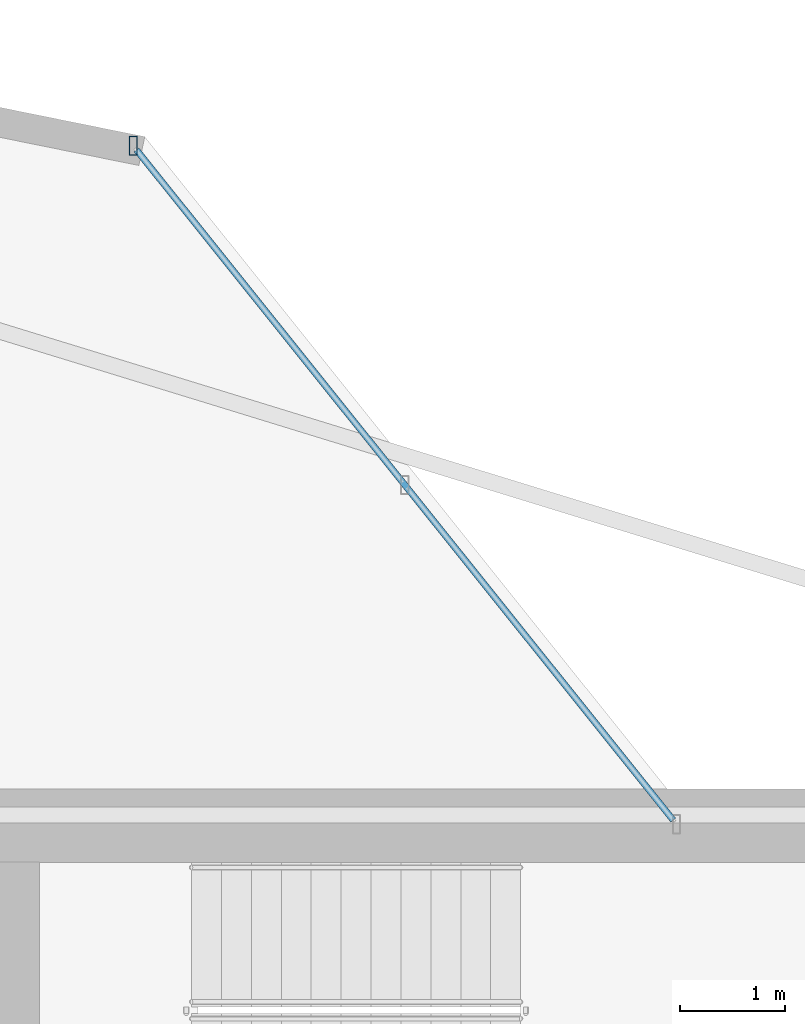
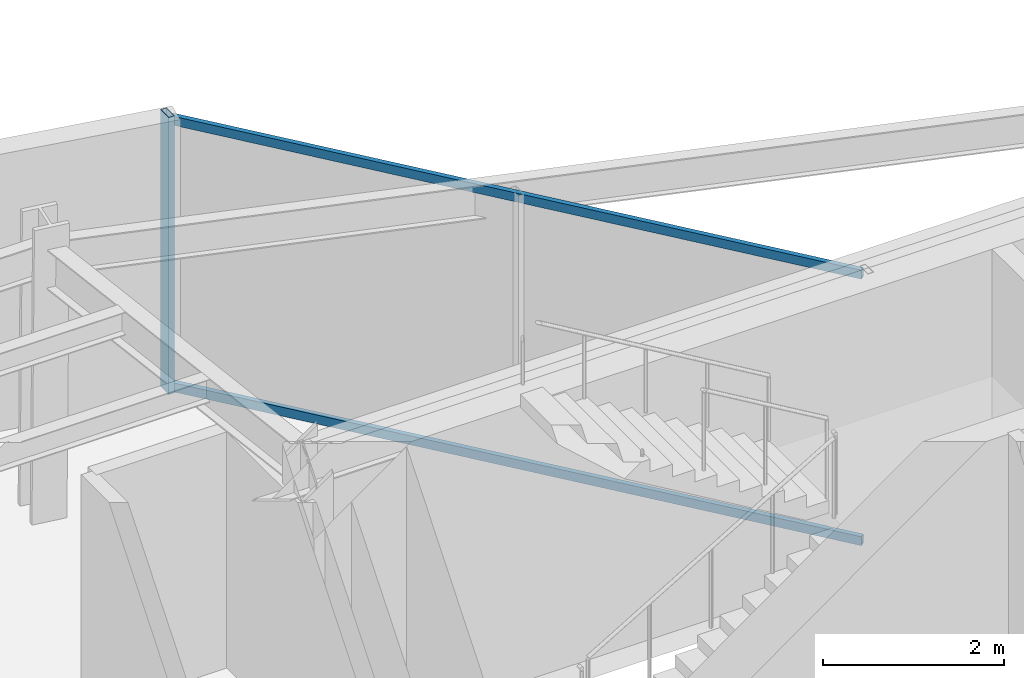
# One storey, part 13 of 23: 3 members, 1 element without a shape of its own.
"""IFC4 building model written with IfcOpenShell, lengths in metres."""

import ifcopenshell
import ifcopenshell.guid

model = None  # the IFC model being written
_history = None  # IfcOwnerHistory: only IFC2X3 demands one
_inside = {}  # id of a spatial element -> (the spatial element, [elements in it])
_under = {}  # id of a project, library or spatial element -> (it, [spatial elements below it])
_declared = {}  # id of a project -> (the project, [libraries it declares])
_typed = {}  # id of a type object -> (the type object, [elements of that type])
_made_of = {}  # id of a material, layer set ... -> (it, [elements and type objects made of it])


def new_model(schema):
    """Start an empty IFC model of exactly this schema.

    Asked for "IFC4X3", IfcOpenShell would pick the latest addendum, in which some entities
    have other attributes; the version numbers below select the first issue.
    IFC2X3 requires an IfcOwnerHistory on every rooted entity: one is made here for all.
    """
    global model, _history
    if schema == "IFC4X3":
        model = ifcopenshell.file(schema_version=(4, 3, 0, 0))
    else:
        model = ifcopenshell.file(schema=schema)
    _inside.clear()
    _under.clear()
    _declared.clear()
    _typed.clear()
    _made_of.clear()
    _history = None
    if model.schema == "IFC2X3":
        org = make("IfcOrganization", Name="unknown")
        user = make(
            "IfcPersonAndOrganization",
            ThePerson=make("IfcPerson", FamilyName="unknown"),
            TheOrganization=org,
        )
        app = make(
            "IfcApplication",
            ApplicationDeveloper=org,
            Version="unknown",
            ApplicationFullName="unknown",
            ApplicationIdentifier="unknown",
        )
        _history = make(
            "IfcOwnerHistory",
            OwningUser=user,
            OwningApplication=app,
            ChangeAction="ADDED",
            CreationDate=0,
        )
    return model


def make(cls, **values):
    """One entity of the class cls with the attributes given. An attribute that is None is left unset."""
    return model.create_entity(
        cls, **{name: value for name, value in values.items() if value is not None}
    )


def rooted(cls, **values):
    """An entity with a GlobalId (a new one), such as an element, a storey or a relation."""
    return make(cls, GlobalId=ifcopenshell.guid.new(), OwnerHistory=_history, **values)


def si_unit(unit_type, name, prefix=None):
    """IfcSIUnit, for example si_unit("LENGTHUNIT", "METRE", prefix="MILLI")."""
    return make("IfcSIUnit", UnitType=unit_type, Prefix=prefix, Name=name)


def assignment(units):
    """IfcUnitAssignment: the units of a project."""
    return None if units is None else make("IfcUnitAssignment", Units=units)


def point(xyz):
    """IfcCartesianPoint."""
    return None if xyz is None else make("IfcCartesianPoint", Coordinates=xyz)


def direction(xyz):
    """IfcDirection."""
    return None if xyz is None else make("IfcDirection", DirectionRatios=xyz)


def frame(location, z_axis=None, x_axis=None):
    """IfcAxis2Placement3D, a coordinate frame: its origin and axes. An axis left out is left unset."""
    return make(
        "IfcAxis2Placement3D",
        Location=point(location),
        Axis=direction(z_axis),
        RefDirection=direction(x_axis),
    )


def frame_2d(location, x_axis=None):
    """IfcAxis2Placement2D, a coordinate frame in the plane: its origin and x axis."""
    return make(
        "IfcAxis2Placement2D", Location=point(location), RefDirection=direction(x_axis)
    )


def origin():
    """The frame at (0, 0, 0) with its axes left unset."""
    return frame((0.0, 0.0, 0.0))


def origin_2d():
    """The frame at (0, 0) in the plane with its x axis left unset."""
    return frame_2d((0.0, 0.0))


def place(relative_to, where):
    """IfcLocalPlacement: puts the frame where relative to a parent placement (None: the world)."""
    return make(
        "IfcLocalPlacement", PlacementRelTo=relative_to, RelativePlacement=where
    )


def context(
    kind, dimensions, precision=None, world=None, true_north=None, identifier=None
):
    """IfcGeometricRepresentationContext, for example the 3D "Model" context."""
    return make(
        "IfcGeometricRepresentationContext",
        ContextIdentifier=identifier,
        ContextType=kind,
        CoordinateSpaceDimension=dimensions,
        Precision=precision,
        WorldCoordinateSystem=world,
        TrueNorth=true_north,
    )


def subcontext(parent, identifier, kind, view, scale=None):
    """IfcGeometricRepresentationSubContext, for example "Body" below "Model"."""
    return make(
        "IfcGeometricRepresentationSubContext",
        ContextIdentifier=identifier,
        ContextType=kind,
        ParentContext=parent,
        TargetScale=scale,
        TargetView=view,
    )


def project(units=None, contexts=None):
    """IfcProject with its units and contexts."""
    return rooted(
        "IfcProject",
        Name="project",
        RepresentationContexts=contexts,
        UnitsInContext=assignment(units),
    )


def spatial(cls, under=None, at=None, **own):
    """A site, building, storey or space (cls), placed at a placement, below another one or the project."""
    s = rooted(cls, ObjectPlacement=at, **own)
    if under is not None:
        _under.setdefault(under.id(), (under, []))[1].append(s)
    return s


def profile(cls, at=None, kind="AREA", **sizes):
    """A parametric profile (cls). Its sizes go by their IFC names, for example OverallWidth=200.0."""
    return make(cls, ProfileType=kind, Position=at, **sizes)


def hollow_rectangle(**sizes):
    """IfcRectangleHollowProfileDef."""
    return profile("IfcRectangleHollowProfileDef", **sizes)


def extrude(swept, where, along, depth):
    """IfcExtrudedAreaSolid: the profile swept, set in the frame where, extruded along a direction by depth."""
    return make(
        "IfcExtrudedAreaSolid",
        SweptArea=swept,
        Position=where,
        ExtrudedDirection=direction(along),
        Depth=depth,
    )


def shape(context_of_items, identifier, shape_type, items):
    """IfcShapeRepresentation: the items that make up one representation, for example the "Body"."""
    return make(
        "IfcShapeRepresentation",
        ContextOfItems=context_of_items,
        RepresentationIdentifier=identifier,
        RepresentationType=shape_type,
        Items=items,
    )


def material(Name=None, Category=None):
    """IfcMaterial."""
    return make("IfcMaterial", Name=Name, Category=Category)


def layer(
    of_material, thickness, ventilated=None, Name=None, Category=None, Priority=None
):
    """IfcMaterialLayer: one layer of a wall or slab, of a material (None: an air gap)."""
    return make(
        "IfcMaterialLayer",
        Material=of_material,
        LayerThickness=thickness,
        IsVentilated=ventilated,
        Name=Name,
        Category=Category,
        Priority=Priority,
    )


def layer_set(layers, Name=None):
    """IfcMaterialLayerSet."""
    return make("IfcMaterialLayerSet", MaterialLayers=layers, LayerSetName=Name)


def material_profile(
    of_material, cross_section, Name=None, Category=None, Priority=None
):
    """IfcMaterialProfile: a cross section and its material."""
    return make(
        "IfcMaterialProfile",
        Name=Name,
        Material=of_material,
        Profile=cross_section,
        Priority=Priority,
        Category=Category,
    )


def profile_set(profiles, Name=None, composite=None):
    """IfcMaterialProfileSet."""
    return make(
        "IfcMaterialProfileSet",
        Name=Name,
        MaterialProfiles=profiles,
        CompositeProfile=composite,
    )


def made_of(thing, what):
    """Note that an element or type object is made of a material, layer set ...; save() writes the relation."""
    if what is not None:
        _made_of.setdefault(what.id(), (what, []))[1].append(thing)
    return thing


def type_object(cls, material=None, **own):
    """A type object (cls), such as IfcWallType, which elements share."""
    return made_of(rooted(cls, **own), material)


def element(
    cls,
    number,
    at=None,
    inside=None,
    cuts=None,
    type_object=None,
    material=None,
    context=None,
    identifier="Body",
    shape_type=None,
    held_by="IfcProductDefinitionShape",
    body=None,
    shapes=None,
    **own,
):
    """One element of the class cls, such as IfcWall. Its Tag is "e" and its number.

    at: its placement. inside: the storey or other place that contains it. cuts: it is an
    opening in that element (IfcRelVoidsElement). A single representation is given by context,
    identifier, shape_type and body (its items); several are given by shapes. held_by: the class
    of the entity that holds the representations. save() writes the other relations.
    """
    e = rooted(cls, Tag="e%d" % number, ObjectPlacement=at, **own)
    if body is not None:
        shapes = [shape(context, identifier, shape_type, body)]
    if shapes is not None:
        e.Representation = make(held_by, Representations=shapes)
    if inside is not None:
        _inside.setdefault(inside.id(), (inside, []))[1].append(e)
    if cuts is not None:
        rooted(
            "IfcRelVoidsElement", RelatingBuildingElement=cuts, RelatedOpeningElement=e
        )
    if type_object is not None:
        _typed.setdefault(type_object.id(), (type_object, []))[1].append(e)
    return made_of(e, material)


def aggregate(whole, parts):
    """IfcRelAggregates: a whole, such as a stair, and the parts it consists of."""
    return rooted("IfcRelAggregates", RelatingObject=whole, RelatedObjects=parts)


def save(model, path):
    """Write the relations noted so far, then the file.

    IfcRelAggregates (storeys below a building ...), IfcRelContainedInSpatialStructure (elements
    in a storey), IfcRelDefinesByType, IfcRelAssociatesMaterial and IfcRelDeclares: one each for
    every whole, place, type object, material and project.
    """
    for whole, parts in _under.values():
        aggregate(whole, parts)
    for where, things in _inside.values():
        rooted(
            "IfcRelContainedInSpatialStructure",
            RelatedElements=things,
            RelatingStructure=where,
        )
    for kind, things in _typed.values():
        rooted("IfcRelDefinesByType", RelatedObjects=things, RelatingType=kind)
    for what, things in _made_of.values():
        rooted("IfcRelAssociatesMaterial", RelatedObjects=things, RelatingMaterial=what)
    for by, libraries in _declared.values():
        rooted("IfcRelDeclares", RelatingContext=by, RelatedDefinitions=libraries)
    model.write(path)


model = new_model("IFC4")

# Units and contexts
model_context = context("Model", 3, precision=1e-05, world=origin(), true_north=direction((0.0, 1.0)))
body_context = subcontext(model_context, "Body", "Model", "MODEL_VIEW")
ifc_project = project(units=[si_unit("LENGTHUNIT", "METRE"), si_unit("AREAUNIT", "SQUARE_METRE"), si_unit("VOLUMEUNIT", "CUBIC_METRE"), si_unit("PLANEANGLEUNIT", "RADIAN"), si_unit("MASSUNIT", "GRAM", prefix="KILO")], contexts=[model_context])

# Site, building, storey
site_placement = place(None, origin())
site = spatial("IfcSite", under=ifc_project, at=site_placement, CompositionType="ELEMENT")
building_placement = place(site_placement, origin())
building = spatial("IfcBuilding", under=site, at=building_placement, Name="Veymaron Broadcast Tower", CompositionType="ELEMENT")
storey_placement = place(building_placement, frame((0.0, 0.0, 252.60009765625)))
storey = spatial("IfcBuildingStorey", under=building, at=storey_placement, Name="L59", CompositionType="ELEMENT", Elevation=252.60009765625)

# Curtain wall, members
ifc_material_1 = material(Name="Anodised aluminium AA 6063-T6 and laminated low-E dark glass", Category="aluminium")
ifc_layer = layer(ifc_material_1, 0.179931640625)
ifc_layer_set = layer_set([ifc_layer], Name="Anodised aluminium AA 6063-T6 and laminated low-E dark glass")
curtain_wall_type = type_object("IfcCurtainWallType", Name="CW-SYS-05", PredefinedType="NOTDEFINED", material=ifc_layer_set)
curtain_wall_placement = place(storey_placement, origin())
curtain_wall = element("IfcCurtainWall", 1, at=curtain_wall_placement, inside=storey, type_object=curtain_wall_type, Name="L59 dark-glass curtain wall CW-L59-E5-1", PredefinedType="NOTDEFINED")
ifc_material_2 = material(Name="Anodised aluminium AA 6063-T6", Category="aluminium")
ifc_material_profile_1 = material_profile(ifc_material_2, hollow_rectangle(XDim=0.074951171875, YDim=0.179931640625, WallThickness=0.0048828125, at=origin_2d()), Name="AL180X75X5")
ifc_profile_set_1 = profile_set([ifc_material_profile_1], Name="Anodised aluminium AA 6063-T6")
member_type_1 = type_object("IfcMemberType", Name="CW-MUL-02", PredefinedType="MULLION", material=ifc_profile_set_1)
member_1_placement = place(storey_placement, frame((40.874755859375, 38.37451171875, 0.0), z_axis=(0.0, 0.0, 1.0), x_axis=(1.0, 0.0, 0.0)))
member_1 = element("IfcMember", 2, at=member_1_placement, type_object=member_type_1, Name="CW-L59-E5-1 mullion 2", PredefinedType="MULLION", context=body_context, shape_type="SweptSolid", body=[
    extrude(hollow_rectangle(XDim=0.074951171875, YDim=0.179931640625, WallThickness=0.0048828125, at=origin_2d()), origin(), (0.0, 0.0, 1.0), 3.72998046875),
])
ifc_material_profile_2 = material_profile(ifc_material_2, hollow_rectangle(XDim=0.06005859375, YDim=0.1201171875, WallThickness=0.00390625, at=origin_2d()), Name="AL120X60X4")
ifc_profile_set_2 = profile_set([ifc_material_profile_2], Name="Anodised aluminium AA 6063-T6")
member_type_2 = type_object("IfcMemberType", Name="CW-TRN-02", PredefinedType="USERDEFINED", material=ifc_profile_set_2)
member_2_placement = place(storey_placement, frame((46.018798828125, 31.951416015625, 0.06982421875), z_axis=(-0.62510994133, 0.780536713582, 0.0), x_axis=(-0.780536713582, -0.62510994133, 0.0)))
member_2 = element("IfcMember", 3, at=member_2_placement, type_object=member_type_2, Name="CW-L59-E5-1 transom B", ObjectType="TRANSOM", PredefinedType="USERDEFINED", context=body_context, shape_type="SweptSolid", body=[
    extrude(hollow_rectangle(XDim=0.06005859375, YDim=0.1201171875, WallThickness=0.00390625, at=origin_2d()), origin(), (0.0, 0.0, 1.0), 8.178955078125),
])
member_3_placement = place(storey_placement, frame((46.018798828125, 31.951416015625, 3.659912109375), z_axis=(-0.62510994133, 0.780536713582, 0.0), x_axis=(-0.780536713582, -0.62510994133, 0.0)))
member_3 = element("IfcMember", 4, at=member_3_placement, type_object=member_type_2, Name="CW-L59-E5-1 transom T", ObjectType="TRANSOM", PredefinedType="USERDEFINED", context=body_context, shape_type="SweptSolid", body=[
    extrude(hollow_rectangle(XDim=0.06005859375, YDim=0.1201171875, WallThickness=0.00390625, at=origin_2d()), origin(), (0.0, 0.0, 1.0), 8.178955078125),
])
aggregate(curtain_wall, [member_1, member_2, member_3])

save(model, "model.ifc")
